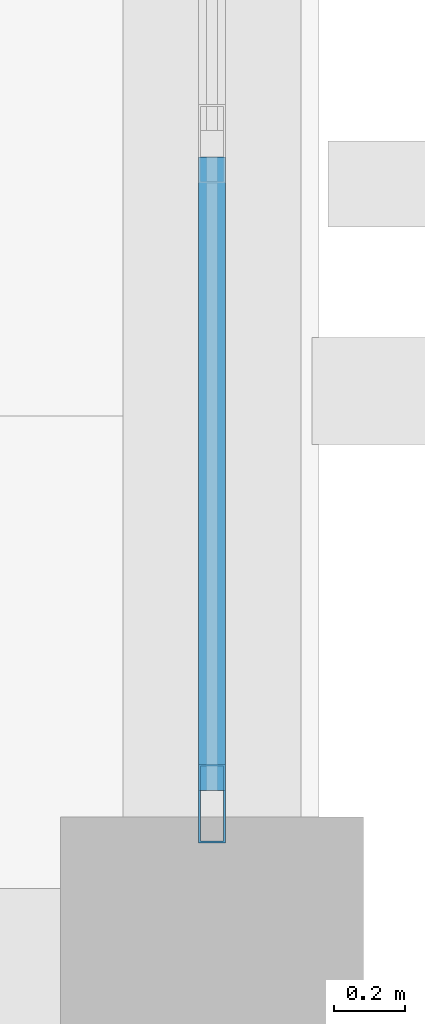
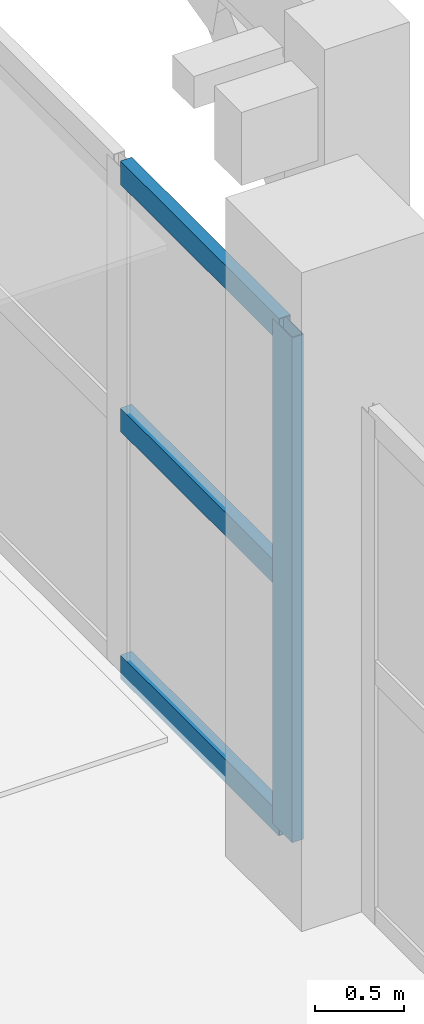
# One storey, part 55 of 137: 4 members, 1 element without a shape of its own.
"""IFC4 building model written with IfcOpenShell, lengths in metres."""

from ifc_helpers import new_model, si_unit, direction, frame, origin, origin_2d, place, context, subcontext, project, spatial, hollow_rectangle, extrude, material, layer, layer_set, material_profile, profile_set, type_object, element, aggregate, save


model = new_model("IFC4")

# Units and contexts
model_context = context("Model", 3, precision=1e-05, world=origin(), true_north=direction((0.0, 1.0)))
body_context = subcontext(model_context, "Body", "Model", "MODEL_VIEW")
ifc_project = project(units=[si_unit("LENGTHUNIT", "METRE"), si_unit("AREAUNIT", "SQUARE_METRE"), si_unit("VOLUMEUNIT", "CUBIC_METRE"), si_unit("PLANEANGLEUNIT", "RADIAN"), si_unit("MASSUNIT", "GRAM", prefix="KILO")], contexts=[model_context])

# Site, building, storey
site_placement = place(None, origin())
site = spatial("IfcSite", under=ifc_project, at=site_placement, CompositionType="ELEMENT")
building_placement = place(site_placement, origin())
building = spatial("IfcBuilding", under=site, at=building_placement, Name="Xazarin Passage Department Store", CompositionType="ELEMENT")
storey_placement = place(building_placement, frame((0.0, 0.0, 5.39990234375)))
storey = spatial("IfcBuildingStorey", under=building, at=storey_placement, Name="L01", CompositionType="ELEMENT", Elevation=5.39990234375)

# Curtain wall, members
ifc_material = material(Name="Bronze anodised aluminium", Category="aluminium")
ifc_layer = layer(ifc_material, 0.179931640625)
ifc_layer_set = layer_set([ifc_layer], Name="Bronze anodised aluminium")
curtain_wall_type = type_object("IfcCurtainWallType", Name="ARC-CW-VIT1", PredefinedType="NOTDEFINED", material=ifc_layer_set)
curtain_wall_placement = place(storey_placement, origin())
curtain_wall = element("IfcCurtainWall", 1, at=curtain_wall_placement, inside=storey, type_object=curtain_wall_type, Name="L01 V1 Curtain Wall 027", PredefinedType="NOTDEFINED")
ifc_material_profile_1 = material_profile(ifc_material, hollow_rectangle(XDim=0.074951171875, YDim=0.219970703125, WallThickness=0.0048828125, at=origin_2d()), Name="ALU 75x220")
ifc_profile_set_1 = profile_set([ifc_material_profile_1], Name="Bronze anodised aluminium")
member_type_1 = type_object("IfcMemberType", Name="ARC-CWM-75x220", PredefinedType="MULLION", material=ifc_profile_set_1)
member_1_placement = place(storey_placement, frame((50.39990234375, 93.66259765625, 0.0), z_axis=(0.0, 0.0, 1.0), x_axis=(-1.0, 0.0, 0.0)))
member_1 = element("IfcMember", 2, at=member_1_placement, type_object=member_type_1, Name="CW1 mullion 1", PredefinedType="MULLION", context=body_context, shape_type="SweptSolid", body=[
    extrude(hollow_rectangle(XDim=0.074951171875, YDim=0.219970703125, WallThickness=0.0048828125, at=origin_2d()), origin(), (0.0, 0.0, 1.0), 3.4501953125),
])
ifc_material_profile_2 = material_profile(ifc_material, hollow_rectangle(XDim=0.074951171875, YDim=0.159912109375, WallThickness=0.00439453125, at=origin_2d()), Name="ALU 75x160")
ifc_profile_set_2 = profile_set([ifc_material_profile_2], Name="Bronze anodised aluminium")
member_type_2 = type_object("IfcMemberType", Name="ARC-CWT-75x160", PredefinedType="USERDEFINED", material=ifc_profile_set_2)
member_2_placement = place(storey_placement, frame((50.39990234375, 93.699951171875, 0.03759765625), z_axis=(0.0, 1.0, 0.0), x_axis=(-1.0, 0.0, 0.0)))
member_2 = element("IfcMember", 3, at=member_2_placement, type_object=member_type_2, Name="CW1 transom 1.1", ObjectType="TRANSOM", PredefinedType="USERDEFINED", context=body_context, shape_type="SweptSolid", body=[
    extrude(hollow_rectangle(XDim=0.074951171875, YDim=0.159912109375, WallThickness=0.00439453125, at=origin_2d()), origin(), (0.0, 0.0, 1.0), 1.775146484375),
])
member_3_placement = place(storey_placement, frame((50.39990234375, 93.699951171875, 1.72509765625), z_axis=(0.0, 1.0, 0.0), x_axis=(-1.0, 0.0, 0.0)))
member_3 = element("IfcMember", 4, at=member_3_placement, type_object=member_type_2, Name="CW1 transom 1.2", ObjectType="TRANSOM", PredefinedType="USERDEFINED", context=body_context, shape_type="SweptSolid", body=[
    extrude(hollow_rectangle(XDim=0.074951171875, YDim=0.159912109375, WallThickness=0.00439453125, at=origin_2d()), origin(), (0.0, 0.0, 1.0), 1.775146484375),
])
member_4_placement = place(storey_placement, frame((50.39990234375, 93.699951171875, 3.41259765625), z_axis=(0.0, 1.0, 0.0), x_axis=(-1.0, 0.0, 0.0)))
member_4 = element("IfcMember", 5, at=member_4_placement, type_object=member_type_2, Name="CW1 transom 1.3", ObjectType="TRANSOM", PredefinedType="USERDEFINED", context=body_context, shape_type="SweptSolid", body=[
    extrude(hollow_rectangle(XDim=0.074951171875, YDim=0.159912109375, WallThickness=0.00439453125, at=origin_2d()), origin(), (0.0, 0.0, 1.0), 1.775146484375),
])
aggregate(curtain_wall, [member_1, member_2, member_3, member_4])

save(model, "model.ifc")
